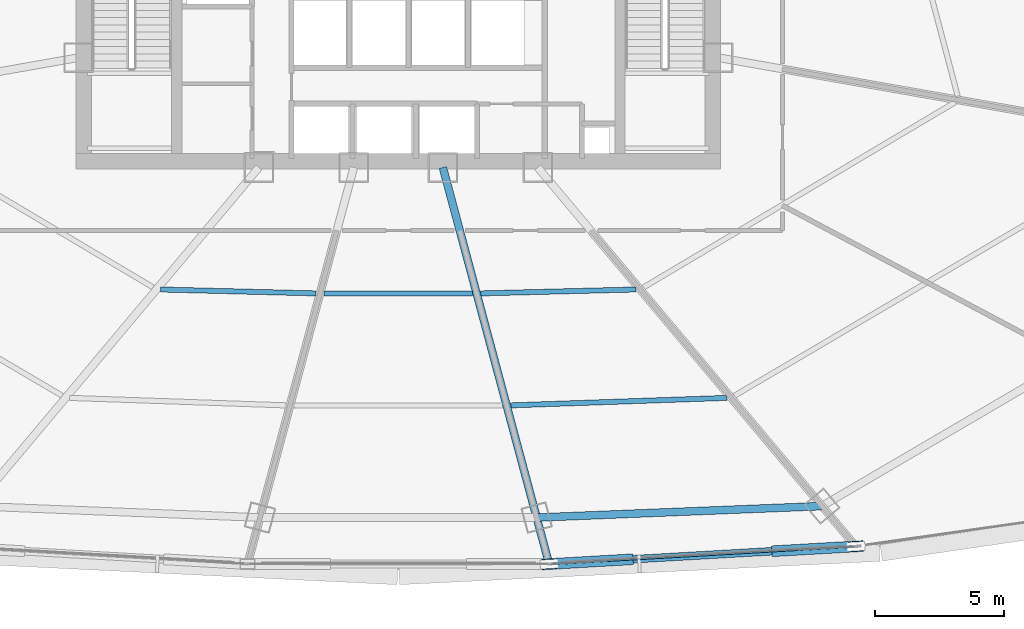
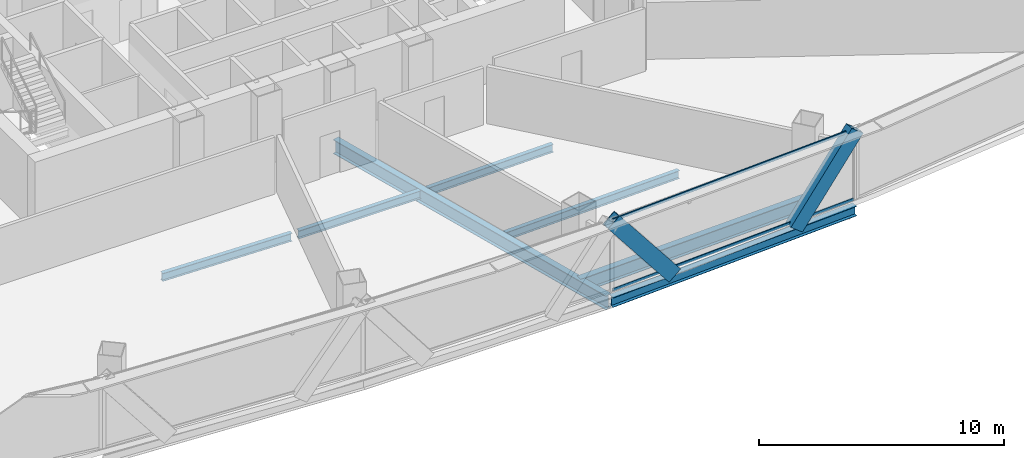
# One storey, part 11 of 39: 7 beams, 4 members, 1 element without a shape of its own.
"""IFC4 building model written with IfcOpenShell, lengths in metres."""

from ifc_helpers import new_model, si_unit, direction, frame, origin, origin_2d, place, context, subcontext, project, spatial, hollow_rectangle, i_section, extrude, source, transform, mapped, material, layer, layer_set, material_profile, profile_set, type_object, element, aggregate, save


model = new_model("IFC4")

# Units and contexts
model_context = context("Model", 3, precision=1e-05, world=origin(), true_north=direction((0.0, 1.0)))
body_context = subcontext(model_context, "Body", "Model", "MODEL_VIEW")
ifc_project = project(units=[si_unit("LENGTHUNIT", "METRE"), si_unit("AREAUNIT", "SQUARE_METRE"), si_unit("VOLUMEUNIT", "CUBIC_METRE"), si_unit("PLANEANGLEUNIT", "RADIAN"), si_unit("MASSUNIT", "GRAM", prefix="KILO"), si_unit("THERMODYNAMICTEMPERATUREUNIT", "KELVIN"), si_unit("POWERUNIT", "WATT")], contexts=[model_context])

# Site, building, storey
site_placement = place(None, origin())
site = spatial("IfcSite", under=ifc_project, at=site_placement, CompositionType="ELEMENT")
building_placement = place(site_placement, origin())
building = spatial("IfcBuilding", under=site, at=building_placement, Name="Yunzhuo Pagoda Commons", CompositionType="ELEMENT")
storey_placement = place(building_placement, frame((0.0, 0.0, 92.580078125)))
storey = spatial("IfcBuildingStorey", under=building, at=storey_placement, Name="L23", CompositionType="ELEMENT", Elevation=92.580078125)

# Beams
ifc_material_1 = material(Name="Structural steel Q355B", Category="steel")
ifc_material_profile_1 = material_profile(ifc_material_1, i_section(OverallWidth=0.300048828125, OverallDepth=0.699951171875, WebThickness=0.012939453125, FlangeThickness=0.02392578125, at=origin_2d()), Name="Structural steel Q355B")
ifc_profile_set_1 = profile_set([ifc_material_profile_1], Name="Structural steel Q355B")
beam_type_1 = type_object("IfcBeamType", Name="B-RG1 Beam HN 700x300x13x24", PredefinedType="BEAM", material=ifc_profile_set_1)
shared_shape_1 = source(origin(), body_context, "Body", "SweptSolid", [
    extrude(i_section(OverallWidth=0.300048828125, OverallDepth=0.699951171875, WebThickness=0.012939453125, FlangeThickness=0.02392578125, at=origin_2d()), origin(), (0.0, 0.0, 1.0), 11.077392578125),
])
beam_1_placement = place(storey_placement, frame((53.367431640625, 13.66845703125, -0.610107421875), z_axis=(0.999196975427, 0.040067496776, 0.0), x_axis=(-0.040067496776, 0.999196975427, 0.0)))
element("IfcBeam", 1, at=beam_1_placement, inside=storey, type_object=beam_type_1, Name="L23 column-ring beam 3", PredefinedType="BEAM", context=body_context, shape_type="MappedRepresentation", body=[
    mapped(shared_shape_1, transform((0.0, 0.0, 0.0), scale=1.0)),
])
ifc_material_profile_2 = material_profile(ifc_material_1, i_section(OverallWidth=0.199951171875, OverallDepth=0.39990234375, WebThickness=0.008056640625, FlangeThickness=0.012939453125, at=origin_2d()), Name="Structural steel Q355B")
ifc_profile_set_2 = profile_set([ifc_material_profile_2], Name="Structural steel Q355B")
beam_type_2 = type_object("IfcBeamType", Name="B-JS1 Joist HN 400x200x8x13", PredefinedType="JOIST", material=ifc_profile_set_2)
shared_shape_2 = source(origin(), body_context, "Body", "SweptSolid", [
    extrude(i_section(OverallWidth=0.199951171875, OverallDepth=0.39990234375, WebThickness=0.008056640625, FlangeThickness=0.012939453125, at=origin_2d()), origin(), (0.0, 0.0, 1.0), 6.026611328125),
])
for number, where, z_axis, x_axis, name in (
    (2, (38.778076171875, 22.516357421875, -0.4599609375), (0.99968248871, -0.025197654009, 0.0), (0.025197654009, 0.99968248871, 0.0), "L23 composite ring joist 1.1"),
    (3, (51.197265625, 22.364501953125, -0.4599609375), (0.99968248871, 0.025197654009, 0.0), (-0.025197654009, 0.99968248871, 0.0), "L23 composite ring joist 1.3"),
):
    element("IfcBeam", number, at=place(storey_placement, frame(where, z_axis=z_axis, x_axis=x_axis)), inside=storey, type_object=beam_type_2, Name=name, PredefinedType="JOIST", context=body_context, shape_type="MappedRepresentation", body=[
        mapped(shared_shape_2, transform((0.0, 0.0, 0.0), scale=1.0)),
    ])
shared_shape_3 = source(origin(), body_context, "Body", "SweptSolid", [
    extrude(i_section(OverallWidth=0.199951171875, OverallDepth=0.39990234375, WebThickness=0.008056640625, FlangeThickness=0.012939453125, at=origin_2d()), origin(), (0.0, 0.0, 1.0), 8.392822265625),
])
beam_2_placement = place(storey_placement, frame((52.36181640625, 18.020263671875, -0.4599609375), z_axis=(0.999400667027, 0.034616567521, 0.0), x_axis=(-0.034616567521, 0.999400667027, 0.0)))
element("IfcBeam", 4, at=beam_2_placement, inside=storey, type_object=beam_type_2, Name="L23 composite ring joist 2.3", PredefinedType="JOIST", context=body_context, shape_type="MappedRepresentation", body=[
    mapped(shared_shape_3, transform((0.0, 0.0, 0.0), scale=1.0)),
])
shared_shape_4 = source(origin(), body_context, "Body", "SweptSolid", [
    extrude(i_section(OverallWidth=0.199951171875, OverallDepth=0.39990234375, WebThickness=0.008056640625, FlangeThickness=0.012939453125, at=origin_2d()), origin(), (0.0, 0.0, 1.0), 5.7587890625),
])
beam_3_placement = place(storey_placement, frame((45.120849609375, 22.360595703125, -0.4599609375), z_axis=(1.0, 0.0, 0.0), x_axis=(0.0, 1.0, 0.0)))
element("IfcBeam", 5, at=beam_3_placement, inside=storey, type_object=beam_type_2, Name="L23 composite ring joist 1.2", PredefinedType="JOIST", context=body_context, shape_type="MappedRepresentation", body=[
    mapped(shared_shape_4, transform((0.0, 0.0, 0.0), scale=1.0)),
])
shared_shape_5 = source(origin(), body_context, "Body", "SweptSolid", [
    extrude(i_section(OverallWidth=0.300048828125, OverallDepth=0.699951171875, WebThickness=0.012939453125, FlangeThickness=0.02392578125, at=origin_2d()), origin(), (0.0, 0.0, 1.0), 15.7734375),
])
beam_4_placement = place(storey_placement, frame((53.810791015625, 12.013916015625, -0.610107421875), z_axis=(-0.258805972264, 0.965929329051, 0.0), x_axis=(-0.965929329051, -0.258805972264, 0.0)))
element("IfcBeam", 6, at=beam_4_placement, inside=storey, type_object=beam_type_1, Name="L23 radial floor girder F1C3", PredefinedType="BEAM", context=body_context, shape_type="MappedRepresentation", body=[
    mapped(shared_shape_5, transform((0.0, 0.0, 0.0), scale=1.0)),
])
ifc_material_profile_3 = material_profile(ifc_material_1, i_section(OverallWidth=0.300048828125, OverallDepth=0.488037109375, WebThickness=0.010986328125, FlangeThickness=0.01806640625, at=origin_2d()), Name="Structural steel Q355B")
ifc_profile_set_3 = profile_set([ifc_material_profile_3], Name="Structural steel Q355B")
beam_type_3 = type_object("IfcBeamType", Name="B-SP1 Beam HM 488x300x11x18", PredefinedType="BEAM", material=ifc_profile_set_3)
shared_shape_6 = source(origin(), body_context, "Body", "SweptSolid", [
    extrude(i_section(OverallWidth=0.300048828125, OverallDepth=0.488037109375, WebThickness=0.010986328125, FlangeThickness=0.01806640625, at=origin_2d()), origin(), (0.0, 0.0, 1.0), 11.918212890625),
])
beam_5_placement = place(storey_placement, frame((53.850830078125, 11.8642578125, -0.504150390625), z_axis=(0.998357270024, 0.057295387165, 0.0), x_axis=(-0.057295387165, 0.998357270024, 0.0)))
element("IfcBeam", 7, at=beam_5_placement, inside=storey, type_object=beam_type_3, Name="L23 facade edge spandrel beam F1.3", PredefinedType="BEAM", context=body_context, shape_type="MappedRepresentation", body=[
    mapped(shared_shape_6, transform((0.0, 0.0, 0.0), scale=1.0)),
])

# Members
ifc_material_2 = material(Name="Structural steel Q420B", Category="steel")
ifc_material_profile_4 = material_profile(ifc_material_2, hollow_rectangle(XDim=0.419921875, YDim=0.719970703125, WallThickness=0.028076171875, at=origin_2d()), Name="Structural steel Q420B")
ifc_profile_set_4 = profile_set([ifc_material_profile_4], Name="Structural steel Q420B")
member_type_1 = type_object("IfcMemberType", Name="M-DL1 Brace BOX 720x420x28", PredefinedType="BRACE", material=ifc_profile_set_4)
shared_shape_7 = source(origin(), body_context, "Body", "SweptSolid", [
    extrude(hollow_rectangle(XDim=0.419921875, YDim=0.719970703125, WallThickness=0.028076171875, at=origin_2d()), origin(), (0.0, 0.0, 1.0), 4.828857421875),
])
member_1_placement = place(storey_placement, frame((62.77490234375, 12.37646484375, -0.260009765625), z_axis=(0.616007788476, 0.035340565015, 0.786946916254), x_axis=(-0.057276141142, 0.998358374361, 0.0)))
element("IfcMember", 8, at=member_1_placement, inside=storey, type_object=member_type_1, Name="L23 facade diamond brace F1.3R", PredefinedType="BRACE", context=body_context, shape_type="MappedRepresentation", body=[
    mapped(shared_shape_7, transform((0.0, 0.0, 0.0), scale=1.0)),
])
shared_shape_8 = source(origin(), body_context, "Body", "SweptSolid", [
    extrude(hollow_rectangle(XDim=0.419921875, YDim=0.719970703125, WallThickness=0.028076171875, at=origin_2d()), origin(), (0.0, 0.0, 1.0), 4.8291015625),
])
member_2_placement = place(storey_placement, frame((56.82568359375, 12.034912109375, -0.260009765625), z_axis=(-0.616039160453, -0.035339464354, 0.786922407259), x_axis=(0.057271456016, -0.998358643137, 0.0)))
element("IfcMember", 9, at=member_2_placement, inside=storey, type_object=member_type_1, Name="L23 facade diamond brace F1.3L", PredefinedType="BRACE", context=body_context, shape_type="MappedRepresentation", body=[
    mapped(shared_shape_8, transform((0.0, 0.0, 0.0), scale=1.0)),
])

# Curtain wall, members
ifc_material_3 = material(Name="Anodized aluminium 6063-T6", Category="aluminium")
ifc_layer = layer(ifc_material_3, 0.1650390625)
ifc_layer_set = layer_set([ifc_layer], Name="Anodized aluminium 6063-T6")
curtain_wall_type = type_object("IfcCurtainWallType", Name="CW-LOW Low-Zone Ribbon Curtain Wall", PredefinedType="NOTDEFINED", material=ifc_layer_set)
curtain_wall_placement = place(storey_placement, origin())
curtain_wall = element("IfcCurtainWall", 10, at=curtain_wall_placement, inside=storey, type_object=curtain_wall_type, Name="L23 curtain wall CW-L23-F1B4", PredefinedType="NOTDEFINED")
ifc_material_profile_5 = material_profile(ifc_material_3, hollow_rectangle(XDim=0.06005859375, YDim=0.139892578125, WallThickness=0.00341796875, at=origin_2d()), Name="Anodized aluminium 6063-T6")
ifc_profile_set_5 = profile_set([ifc_material_profile_5], Name="Anodized aluminium 6063-T6")
member_type_2 = type_object("IfcMemberType", Name="CW-LOW-T Transom RHS 140x60x3.5", PredefinedType="USERDEFINED", material=ifc_profile_set_5)
shared_shape_9 = source(origin(), body_context, "Body", "SweptSolid", [
    extrude(hollow_rectangle(XDim=0.06005859375, YDim=0.139892578125, WallThickness=0.00341796875, at=origin_2d()), origin(), (0.0, 0.0, 1.0), 11.787841796875),
])
member_3_placement = place(storey_placement, frame((53.916015625, 11.867919921875, 0.030029296875), z_axis=(0.998356572529, 0.057307539544, 0.0), x_axis=(-0.057307539544, 0.998356572529, 0.0)))
member_3 = element("IfcMember", 11, at=member_3_placement, type_object=member_type_2, Name="CW transom 1.1", ObjectType="TRANSOM", PredefinedType="USERDEFINED", context=body_context, shape_type="MappedRepresentation", body=[
    mapped(shared_shape_9, transform((0.0, 0.0, 0.0), scale=1.0)),
])
member_4_placement = place(storey_placement, frame((53.916015625, 11.867919921875, 3.510009765625), z_axis=(0.998356572529, 0.057307539544, 0.0), x_axis=(-0.057307539544, 0.998356572529, 0.0)))
member_4 = element("IfcMember", 12, at=member_4_placement, type_object=member_type_2, Name="CW transom 1.2", ObjectType="TRANSOM", PredefinedType="USERDEFINED", context=body_context, shape_type="MappedRepresentation", body=[
    mapped(shared_shape_9, transform((0.0, 0.0, 0.0), scale=1.0)),
])
aggregate(curtain_wall, [member_3, member_4])

save(model, "model.ifc")
